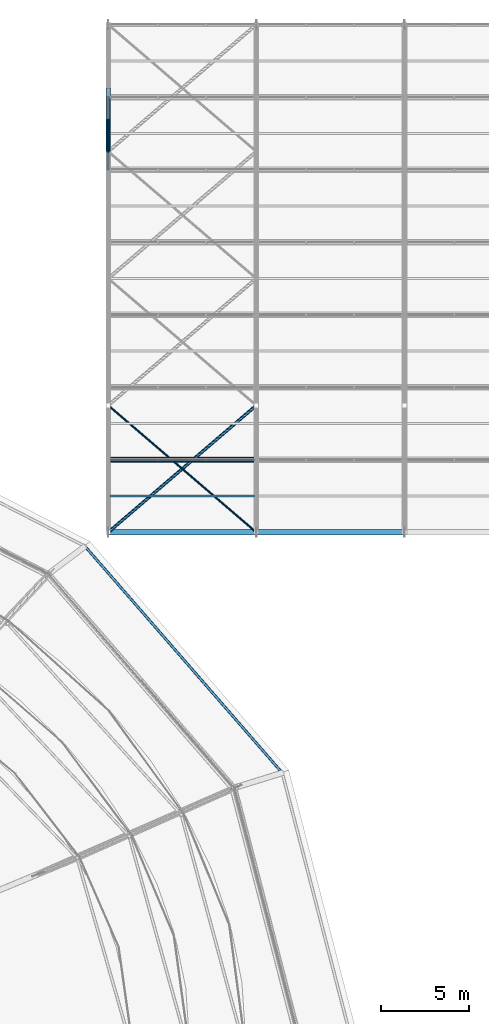
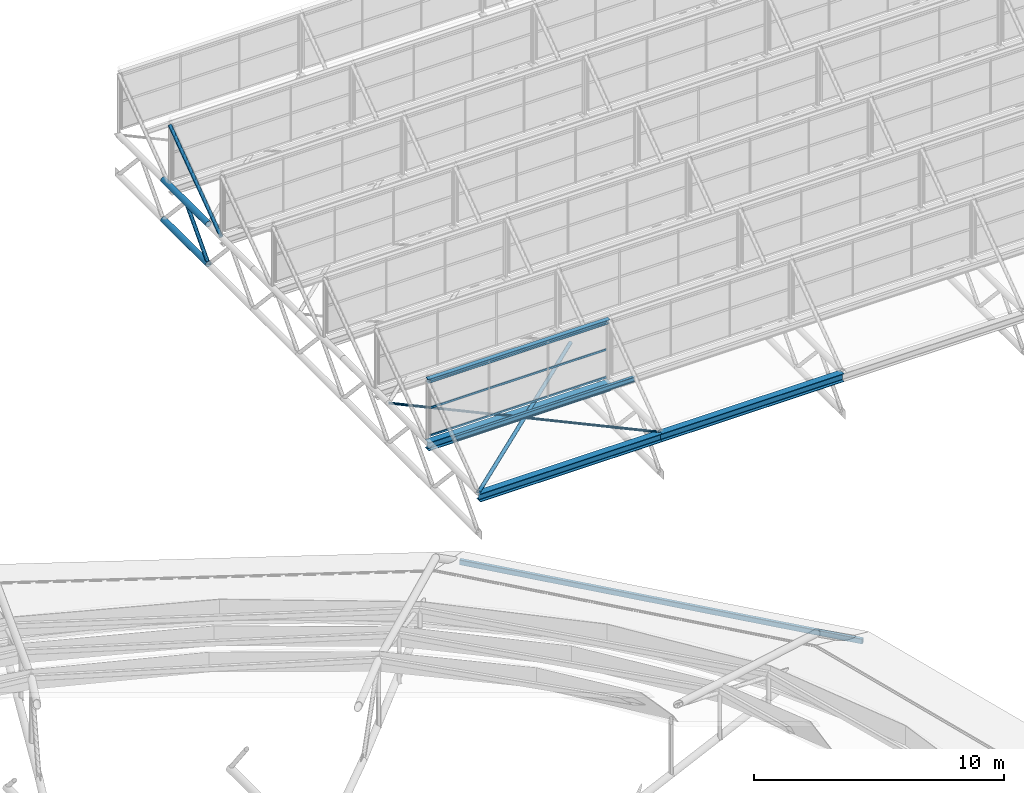
# One storey, part 52 of 134: 9 members, 6 beams, 1 element without a shape of its own.
"""IFC4 building model written with IfcOpenShell, lengths in metres."""

from ifc_helpers import new_model, si_unit, derived_unit, direction, frame, origin, origin_2d, place, context, subcontext, project, spatial, hollow_rectangle, hollow_circle, i_section, extrude, material, material_profile, profile_set, type_object, element, aggregate, save


model = new_model("IFC4")

# Units and contexts
model_context = context("Model", 3, precision=1e-05, world=origin(), true_north=direction((0.0, 1.0)))
body_context = subcontext(model_context, "Body", "Model", "MODEL_VIEW")
ifc_project = project(units=[si_unit("LENGTHUNIT", "METRE"), si_unit("AREAUNIT", "SQUARE_METRE"), si_unit("VOLUMEUNIT", "CUBIC_METRE"), si_unit("PLANEANGLEUNIT", "RADIAN"), si_unit("MASSUNIT", "GRAM", prefix="KILO"), derived_unit("THERMALTRANSMITTANCEUNIT", [(si_unit("MASSUNIT", "GRAM", prefix="KILO"), 1), (si_unit("TIMEUNIT", "SECOND"), -3), (si_unit("THERMODYNAMICTEMPERATUREUNIT", "KELVIN"), -1)])], contexts=[model_context])

# Site, building, storey
site_placement = place(None, origin())
site = spatial("IfcSite", under=ifc_project, at=site_placement, CompositionType="ELEMENT")
building_placement = place(site_placement, origin())
building = spatial("IfcBuilding", under=site, at=building_placement, Name="Kharveza Railside Sports Centre", CompositionType="ELEMENT")
storey_placement = place(building_placement, frame((0.0, 0.0, 12.89990234375)))
storey = spatial("IfcBuildingStorey", under=building, at=storey_placement, Name="L03", CompositionType="ELEMENT", Elevation=12.89990234375)

# Beams
ifc_material_1 = material(Name="Steel S355J2", Category="steel")
ifc_material_profile_1 = material_profile(ifc_material_1, i_section(OverallWidth=0.300048828125, OverallDepth=0.39990234375, WebThickness=0.013427734375, FlangeThickness=0.02392578125, FilletRadius=0.027099609375, at=origin_2d()), Name="HEB 400")
ifc_profile_set_1 = profile_set([ifc_material_profile_1], Name="Steel S355J2")
beam_type_1 = type_object("IfcBeamType", Name="BM-G07", PredefinedType="T_BEAM", material=ifc_profile_set_1)
beam_1_placement = place(storey_placement, frame((92.39990234375, 79.199951171875, 1.760009765625), z_axis=(1.0, 0.0, 0.0), x_axis=(0.0, 1.0, 0.0)))
element("IfcBeam", 1, at=beam_1_placement, inside=storey, type_object=beam_type_1, Name="BM-V2SAW-VAL-1-1", PredefinedType="T_BEAM", context=body_context, shape_type="SweptSolid", body=[
    extrude(i_section(OverallWidth=0.300048828125, OverallDepth=0.39990234375, WebThickness=0.013427734375, FlangeThickness=0.02392578125, FilletRadius=0.027099609375, at=origin_2d()), origin(), (0.0, 0.0, 1.0), 8.400146484375),
])
beam_2_placement = place(storey_placement, frame((100.800048828125, 79.199951171875, 1.760009765625), z_axis=(1.0, 0.0, 0.0), x_axis=(0.0, 1.0, 0.0)))
element("IfcBeam", 2, at=beam_2_placement, inside=storey, type_object=beam_type_1, Name="BM-V2SAW-VAL-1-2", PredefinedType="T_BEAM", context=body_context, shape_type="SweptSolid", body=[
    extrude(i_section(OverallWidth=0.300048828125, OverallDepth=0.39990234375, WebThickness=0.013427734375, FlangeThickness=0.02392578125, FilletRadius=0.027099609375, at=origin_2d()), origin(), (0.0, 0.0, 1.0), 8.39990234375),
])
beam_3_placement = place(storey_placement, frame((92.39990234375, 83.314208984375, 1.760009765625), z_axis=(1.0, 0.0, 0.0), x_axis=(0.0, 1.0, 0.0)))
element("IfcBeam", 3, at=beam_3_placement, inside=storey, type_object=beam_type_1, Name="BM-V2SAW-VAL-2-1", PredefinedType="T_BEAM", context=body_context, shape_type="SweptSolid", body=[
    extrude(i_section(OverallWidth=0.300048828125, OverallDepth=0.39990234375, WebThickness=0.013427734375, FlangeThickness=0.02392578125, FilletRadius=0.027099609375, at=origin_2d()), origin(), (0.0, 0.0, 1.0), 8.400146484375),
])
ifc_material_2 = material(Name="Steel S275JR", Category="steel")
ifc_material_profile_2 = material_profile(ifc_material_2, i_section(OverallWidth=0.1201171875, OverallDepth=0.239990234375, WebThickness=0.006103515625, FlangeThickness=0.009765625, FilletRadius=0.014892578125, at=origin_2d()), Name="IPE 240")
ifc_profile_set_2 = profile_set([ifc_material_profile_2], Name="Steel S275JR")
beam_type_2 = type_object("IfcBeamType", Name="BM-J01", PredefinedType="JOIST", material=ifc_profile_set_2)
beam_4_placement = place(storey_placement, frame((92.39990234375, 81.257080078125, 3.320068359375), z_axis=(1.0, 0.0, 0.0), x_axis=(0.0, 1.0, 0.0)))
element("IfcBeam", 4, at=beam_4_placement, inside=storey, type_object=beam_type_2, Name="BM-V2SAW-PUR-1-1", PredefinedType="JOIST", context=body_context, shape_type="SweptSolid", body=[
    extrude(i_section(OverallWidth=0.1201171875, OverallDepth=0.239990234375, WebThickness=0.006103515625, FlangeThickness=0.009765625, FilletRadius=0.014892578125, at=origin_2d()), origin(), (0.0, 0.0, 1.0), 8.400146484375),
])
ifc_material_profile_3 = material_profile(ifc_material_2, i_section(OverallWidth=0.199951171875, OverallDepth=0.199951171875, WebThickness=0.009033203125, FlangeThickness=0.014892578125, FilletRadius=0.01806640625, at=origin_2d()), Name="HEB 200")
ifc_profile_set_3 = profile_set([ifc_material_profile_3], Name="Steel S275JR")
beam_type_3 = type_object("IfcBeamType", Name="BM-J05", PredefinedType="JOIST", material=ifc_profile_set_3)
beam_5_placement = place(storey_placement, frame((92.39990234375, 83.314208984375, 4.920166015625), z_axis=(1.0, 0.0, 0.0), x_axis=(0.0, 1.0, 0.0)))
element("IfcBeam", 5, at=beam_5_placement, inside=storey, type_object=beam_type_3, Name="BM-V2SAW-RDG-1-1", PredefinedType="JOIST", context=body_context, shape_type="SweptSolid", body=[
    extrude(i_section(OverallWidth=0.199951171875, OverallDepth=0.199951171875, WebThickness=0.009033203125, FlangeThickness=0.014892578125, FilletRadius=0.01806640625, at=origin_2d()), origin(), (0.0, 0.0, 1.0), 8.400146484375),
])
ifc_material_profile_4 = material_profile(ifc_material_1, hollow_rectangle(XDim=0.14990234375, YDim=0.25, WallThickness=0.010009765625, InnerFilletRadius=0.010009765625, OuterFilletRadius=0.02001953125, at=origin_2d()), Name="RHS 150x250x10.0")
ifc_profile_set_4 = profile_set([ifc_material_profile_4], Name="Steel S355J2")
beam_type_4 = type_object("IfcBeamType", Name="BM-SP04", PredefinedType="SPANDREL", material=ifc_profile_set_4)
beam_6_placement = place(storey_placement, frame((102.272216796875, 65.55419921875, -0.47998046875), z_axis=(-0.656649810387, 0.754195615553, 0.0), x_axis=(-0.754195615553, -0.656649810387, 0.0)))
element("IfcBeam", 6, at=beam_6_placement, inside=storey, type_object=beam_type_4, Name="BM-LIDRING-RIM-02", PredefinedType="SPANDREL", context=body_context, shape_type="SweptSolid", body=[
    extrude(hollow_rectangle(XDim=0.14990234375, YDim=0.25, WallThickness=0.010009765625, InnerFilletRadius=0.010009765625, OuterFilletRadius=0.02001953125, at=origin_2d()), origin(), (0.0, 0.0, 1.0), 17.0341796875),
])

# Curtain wall, members
ifc_material_3 = material(Name="Low-E solar-control laminated glass", Category="glass")
curtain_wall_type = type_object("IfcCurtainWallType", Name="CW-NL02", PredefinedType="NOTDEFINED", material=ifc_material_3)
curtain_wall_placement = place(storey_placement, origin())
curtain_wall = element("IfcCurtainWall", 7, at=curtain_wall_placement, inside=storey, type_object=curtain_wall_type, Name="CW-V2NL-1-1", PredefinedType="NOTDEFINED")
ifc_material_4 = material(Name="Anodised aluminium 6063-T6", Category="aluminium")
ifc_material_profile_5 = material_profile(ifc_material_4, hollow_rectangle(XDim=0.06005859375, YDim=0.10009765625, WallThickness=0.00390625, InnerFilletRadius=0.00390625, OuterFilletRadius=0.008056640625, at=origin_2d()), Name="RHS 60x100x4.0")
ifc_profile_set_5 = profile_set([ifc_material_profile_5], Name="Anodised aluminium 6063-T6")
member_type_1 = type_object("IfcMemberType", Name="CW-TR05", PredefinedType="USERDEFINED", material=ifc_profile_set_5)
member_1_placement = place(storey_placement, frame((92.52001953125, 83.314208984375, 2.2001953125), z_axis=(1.0, 0.0, 0.0), x_axis=(0.0, 1.0, 0.0)))
member_1 = element("IfcMember", 8, at=member_1_placement, type_object=member_type_1, Name="CW-V2NL-1-1-TR1", ObjectType="TRANSOM", PredefinedType="USERDEFINED", context=body_context, shape_type="SweptSolid", body=[
    extrude(hollow_rectangle(XDim=0.06005859375, YDim=0.10009765625, WallThickness=0.00390625, InnerFilletRadius=0.00390625, OuterFilletRadius=0.008056640625, at=origin_2d()), origin(), (0.0, 0.0, 1.0), 8.159912109375),
])
member_2_placement = place(storey_placement, frame((92.52001953125, 83.314208984375, 3.550048828125), z_axis=(1.0, 0.0, 0.0), x_axis=(0.0, 1.0, 0.0)))
member_2 = element("IfcMember", 9, at=member_2_placement, type_object=member_type_1, Name="CW-V2NL-1-1-TR2", ObjectType="TRANSOM", PredefinedType="USERDEFINED", context=body_context, shape_type="SweptSolid", body=[
    extrude(hollow_rectangle(XDim=0.06005859375, YDim=0.10009765625, WallThickness=0.00390625, InnerFilletRadius=0.00390625, OuterFilletRadius=0.008056640625, at=origin_2d()), origin(), (0.0, 0.0, 1.0), 8.159912109375),
])
member_3_placement = place(storey_placement, frame((92.52001953125, 83.314208984375, 4.900146484375), z_axis=(1.0, 0.0, 0.0), x_axis=(0.0, 1.0, 0.0)))
member_3 = element("IfcMember", 10, at=member_3_placement, type_object=member_type_1, Name="CW-V2NL-1-1-TR3", ObjectType="TRANSOM", PredefinedType="USERDEFINED", context=body_context, shape_type="SweptSolid", body=[
    extrude(hollow_rectangle(XDim=0.06005859375, YDim=0.10009765625, WallThickness=0.00390625, InnerFilletRadius=0.00390625, OuterFilletRadius=0.008056640625, at=origin_2d()), origin(), (0.0, 0.0, 1.0), 8.159912109375),
])
aggregate(curtain_wall, [member_1, member_2, member_3])

# Members
ifc_material_profile_6 = material_profile(ifc_material_1, hollow_circle(Radius=0.0888671875, WallThickness=0.010009765625, at=origin_2d()), Name="CHS 177.8x10.0")
ifc_profile_set_6 = profile_set([ifc_material_profile_6], Name="Steel S355J2")
member_type_2 = type_object("IfcMemberType", Name="MB-BR03", PredefinedType="BRACE", material=ifc_profile_set_6)
member_4_placement = place(storey_placement, frame((92.39990234375, 79.199951171875, 1.9501953125), z_axis=(0.759264390716, 0.650782286936, 0.0), x_axis=(-0.650782286936, 0.759264390716, 0.0)))
element("IfcMember", 11, at=member_4_placement, inside=storey, type_object=member_type_2, Name="MB-ROOFBR-V2-1-1A", PredefinedType="BRACE", context=body_context, shape_type="SweptSolid", body=[
    extrude(hollow_circle(Radius=0.0888671875, WallThickness=0.010009765625, at=origin_2d()), origin(), (0.0, 0.0, 1.0), 11.0634765625),
])
ifc_material_profile_7 = material_profile(ifc_material_2, hollow_circle(Radius=0.05712890625, WallThickness=0.00634765625, at=origin_2d()), Name="CHS 114.3x6.3")
ifc_profile_set_7 = profile_set([ifc_material_profile_7], Name="Steel S275JR")
member_type_3 = type_object("IfcMemberType", Name="MB-BR04", PredefinedType="BRACE", material=ifc_profile_set_7)
member_5_placement = place(storey_placement, frame((100.800048828125, 79.199951171875, 1.9501953125), z_axis=(-0.759264390716, 0.650782286936, 0.0), x_axis=(-0.650782286936, -0.759264390716, 0.0)))
element("IfcMember", 12, at=member_5_placement, inside=storey, type_object=member_type_3, Name="MB-ROOFBR-V2-1-1B", PredefinedType="BRACE", context=body_context, shape_type="SweptSolid", body=[
    extrude(hollow_circle(Radius=0.05712890625, WallThickness=0.00634765625, at=origin_2d()), origin(), (0.0, 0.0, 1.0), 11.0634765625),
])
ifc_material_profile_8 = material_profile(ifc_material_1, hollow_circle(Radius=0.136474609375, WallThickness=0.01416015625, at=origin_2d()), Name="CHS 273.0x14.2")
ifc_profile_set_8 = profile_set([ifc_material_profile_8], Name="Steel S355J2")
member_type_4 = type_object("IfcMemberType", Name="MB-CH03", PredefinedType="CHORD", material=ifc_profile_set_8)
for number, where, z_axis, x_axis, name in (
    (13, (92.39990234375, 100.800048828125, 0.0), (0.0, 1.0, 0.0), (-1.0, 0.0, 0.0), "MB-V2TR-BC-1-7"),
    (14, (92.39990234375, 100.800048828125, 1.9501953125), (0.0, 1.0, 0.0), (-1.0, 0.0, 0.0), "MB-V2TR-TC-1-7"),
):
    element("IfcMember", number, at=place(storey_placement, frame(where, z_axis=z_axis, x_axis=x_axis)), inside=storey, type_object=member_type_4, Name=name, PredefinedType="CHORD", context=body_context, shape_type="SweptSolid", body=[
        extrude(hollow_circle(Radius=0.136474609375, WallThickness=0.01416015625, at=origin_2d()), origin(), (0.0, 0.0, 1.0), 3.599853515625),
    ])
ifc_material_profile_9 = material_profile(ifc_material_1, hollow_circle(Radius=0.084228515625, WallThickness=0.010009765625, at=origin_2d()), Name="CHS 168.3x10.0")
ifc_profile_set_9 = profile_set([ifc_material_profile_9], Name="Steel S355J2")
member_type_5 = type_object("IfcMemberType", Name="MB-ST03", PredefinedType="STRUT", material=ifc_profile_set_9)
member_6_placement = place(storey_placement, frame((92.39990234375, 100.800048828125, 0.0), z_axis=(0.0, 0.67825335715, 0.734828131956), x_axis=(-1.0, 0.0, 0.0)))
element("IfcMember", 15, at=member_6_placement, inside=storey, type_object=member_type_5, Name="MB-V2TR-D1-1-7", PredefinedType="STRUT", context=body_context, shape_type="SweptSolid", body=[
    extrude(hollow_circle(Radius=0.084228515625, WallThickness=0.010009765625, at=origin_2d()), origin(), (0.0, 0.0, 1.0), 2.654052734375),
])
member_7_placement = place(storey_placement, frame((92.39990234375, 99.771484375, 1.9501953125), z_axis=(0.0, 0.810813691418, 0.585304329225), x_axis=(-1.0, 0.0, 0.0)))
element("IfcMember", 16, at=member_7_placement, inside=storey, type_object=member_type_5, Name="MB-V2SAW-RFT-6-1", PredefinedType="STRUT", context=body_context, shape_type="SweptSolid", body=[
    extrude(hollow_circle(Radius=0.084228515625, WallThickness=0.010009765625, at=origin_2d()), origin(), (0.0, 0.0, 1.0), 5.07421875),
])

save(model, "model.ifc")
